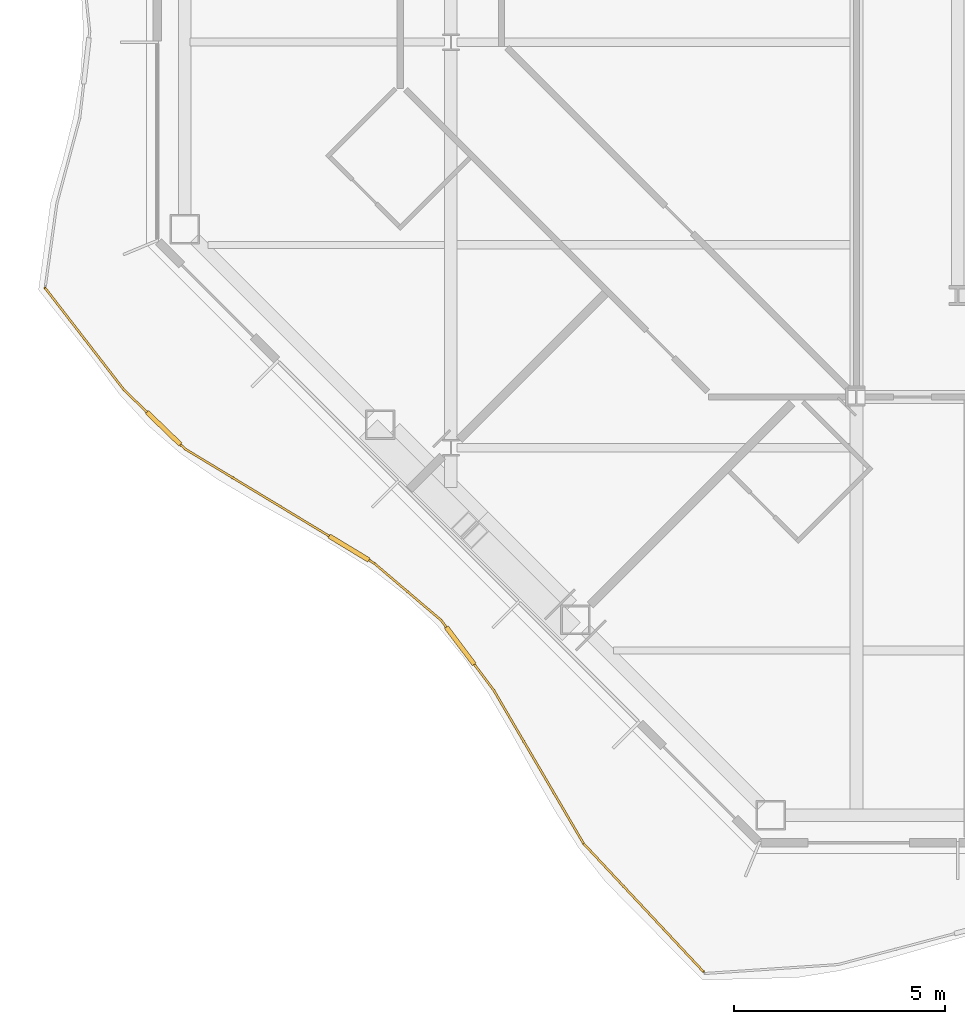
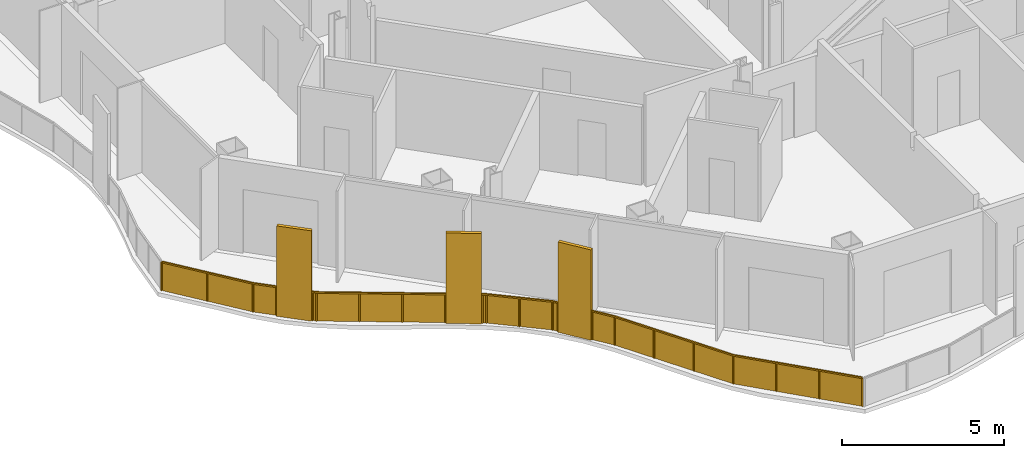
# One storey, part 15 of 21: 1 railing.
"""IFC4 building model written with IfcOpenShell, lengths in metres."""

from ifc_helpers import new_model, si_unit, direction, frame, origin, origin_2d, place, context, subcontext, project, spatial, polyline, rectangle, outline, extrude, material, type_object, element, save


model = new_model("IFC4")

# Units and contexts
model_context = context("Model", 3, precision=1e-05, world=origin(), true_north=direction((0.0, 1.0)))
body_context = subcontext(model_context, "Body", "Model", "MODEL_VIEW")
ifc_project = project(units=[si_unit("LENGTHUNIT", "METRE"), si_unit("AREAUNIT", "SQUARE_METRE"), si_unit("VOLUMEUNIT", "CUBIC_METRE"), si_unit("PLANEANGLEUNIT", "RADIAN"), si_unit("MASSUNIT", "GRAM", prefix="KILO")], contexts=[model_context])

# Site, building, storey
site_placement = place(None, origin())
site = spatial("IfcSite", under=ifc_project, at=site_placement, CompositionType="ELEMENT")
building_placement = place(site_placement, origin())
building = spatial("IfcBuilding", under=site, at=building_placement, Name="Cairn Pilgrim Tower", CompositionType="ELEMENT")
storey_placement = place(building_placement, frame((0.0, 0.0, 139.800048828125)))
storey = spatial("IfcBuildingStorey", under=building, at=storey_placement, Name="L34", CompositionType="ELEMENT", Elevation=139.800048828125)

# Railing
ifc_material = material(Name="Bronze anodised aluminium rail, posts and fin screens with laminated glass infill", Category="aluminium")
railing_type = type_object("IfcRailingType", Name="BALCONY GUARD WITH FIN SCREENS", PredefinedType="GUARDRAIL", material=ifc_material)
railing_placement = place(storey_placement, frame((-24.005126953125, -5.819580078125, 0.0)))
element("IfcRailing", 1, at=railing_placement, inside=storey, type_object=railing_type, Name="Balcony guard BGF-8 with fin screens", PredefinedType="GUARDRAIL", context=body_context, shape_type="SweptSolid", body=[
    extrude(rectangle(XDim=0.050048828125, YDim=0.050048828125, at=origin_2d()), frame((0.0, 0.0, 1.0751953125), z_axis=(0.612165117841, -0.790729959278, 0.0), x_axis=(0.790729959278, 0.612165117841, 0.0)), (0.0, 0.0, 1.0), 3.048828125),
    extrude(rectangle(XDim=1.10009765625, YDim=0.110107421875, at=origin_2d()), frame((2.807373046875, -3.32080078125, 0.0), z_axis=(0.0, 0.0, 1.0), x_axis=(0.718856780035, -0.695158204869, 0.0)), (0.0, 0.0, 1.0), 3.39990234375),
    extrude(rectangle(XDim=0.050048828125, YDim=0.050048828125, at=origin_2d()), frame((1.866455078125, -2.410888671875, 1.0751953125), z_axis=(0.718856780035, -0.695158204869, 0.0), x_axis=(0.695158204869, 0.718856780035, 0.0)), (0.0, 0.0, 1.0), 0.759033203125),
    extrude(rectangle(XDim=0.050048828125, YDim=0.050048828125, at=origin_2d()), frame((3.202880859375, -3.703125, 1.0751953125), z_axis=(0.718856780035, -0.695158204869, 0.0), x_axis=(0.695158204869, 0.718856780035, 0.0)), (0.0, 0.0, 1.0), 0.14990234375),
    extrude(rectangle(XDim=1.10009765625, YDim=0.110107421875, at=origin_2d()), frame((7.1943359375, -6.156005859375, 0.0), z_axis=(0.0, 0.0, 1.0), x_axis=(0.855690711197, -0.517487590934, 0.0)), (0.0, 0.0, 1.0), 3.39990234375),
    extrude(rectangle(XDim=0.050048828125, YDim=0.050048828125, at=origin_2d()), frame((3.310546875, -3.807373046875, 1.0751953125), z_axis=(0.855690711197, -0.517487590934, 0.0), x_axis=(0.517487590934, 0.855690711197, 0.0)), (0.0, 0.0, 1.0), 3.98876953125),
    extrude(rectangle(XDim=0.050048828125, YDim=0.050048828125, at=origin_2d()), frame((7.664794921875, -6.440673828125, 1.0751953125), z_axis=(0.855690711197, -0.517487590934, 0.0), x_axis=(0.517487590934, 0.855690711197, 0.0)), (0.0, 0.0, 1.0), 0.14990234375),
    extrude(rectangle(XDim=0.050048828125, YDim=0.050048828125, at=origin_2d()), frame((7.793212890625, -6.518310546875, 1.0751953125), z_axis=(0.761514638279, -0.648147711318, 0.0), x_axis=(0.648147711318, 0.761514638279, 0.0)), (0.0, 0.0, 1.0), 2.07177734375),
    extrude(rectangle(XDim=1.10009765625, YDim=0.110107421875, at=origin_2d()), frame((9.826904296875, -8.467529296875, 0.0), z_axis=(0.0, 0.0, 1.0), x_axis=(0.60110641828, -0.799168989578, 0.0)), (0.0, 0.0, 1.0), 3.39990234375),
    extrude(rectangle(XDim=0.050048828125, YDim=0.050048828125, at=origin_2d()), frame((9.370849609375, -7.861083984375, 1.0751953125), z_axis=(0.60110641828, -0.799168989578, 0.0), x_axis=(0.799168989578, 0.60110641828, 0.0)), (0.0, 0.0, 1.0), 0.208740234375),
    extrude(rectangle(XDim=0.050048828125, YDim=0.050048828125, at=origin_2d()), frame((10.157470703125, -8.906982421875, 1.0751953125), z_axis=(0.60110641828, -0.799168989578, 0.0), x_axis=(0.799168989578, 0.60110641828, 0.0)), (0.0, 0.0, 1.0), 0.773193359375),
    extrude(rectangle(XDim=0.050048828125, YDim=0.050048828125, at=origin_2d()), frame((10.622314453125, -9.52490234375, 1.0751953125), z_axis=(0.505340687517, -0.862919920699, 0.0), x_axis=(0.862919920699, 0.505340687517, 0.0)), (0.0, 0.0, 1.0), 4.20166015625),
    extrude(rectangle(XDim=0.050048828125, YDim=0.050048828125, at=origin_2d()), frame((12.74560546875, -13.150634765625, 1.0751953125), z_axis=(0.683285589694, -0.730151219211, 0.0), x_axis=(0.730151219211, 0.683285589694, 0.0)), (0.0, 0.0, 1.0), 4.15185546875),
    extrude(rectangle(XDim=0.050048828125, YDim=0.050048828125, at=origin_2d()), origin(), (0.0, 0.0, 1.0), 1.050048828125),
    extrude(rectangle(XDim=0.050048828125, YDim=0.050048828125, at=origin_2d()), frame((0.93310546875, -1.20556640625, 0.0)), (0.0, 0.0, 1.0), 1.050048828125),
    extrude(rectangle(XDim=0.050048828125, YDim=0.050048828125, at=origin_2d()), frame((1.866455078125, -2.410888671875, 0.0)), (0.0, 0.0, 1.0), 1.050048828125),
    extrude(rectangle(XDim=0.050048828125, YDim=0.050048828125, at=origin_2d()), frame((2.39404296875, -2.921142578125, 0.0)), (0.0, 0.0, 1.0), 1.050048828125),
    extrude(rectangle(XDim=0.050048828125, YDim=0.050048828125, at=origin_2d()), frame((3.220947265625, -3.720703125, 0.0)), (0.0, 0.0, 1.0), 1.050048828125),
    extrude(rectangle(XDim=0.050048828125, YDim=0.050048828125, at=origin_2d()), frame((3.310546875, -3.807373046875, 0.0)), (0.0, 0.0, 1.0), 1.050048828125),
    extrude(rectangle(XDim=0.050048828125, YDim=0.050048828125, at=origin_2d()), frame((4.441162109375, -4.490966796875, 0.0)), (0.0, 0.0, 1.0), 1.050048828125),
    extrude(rectangle(XDim=0.050048828125, YDim=0.050048828125, at=origin_2d()), frame((5.57177734375, -5.1748046875, 0.0)), (0.0, 0.0, 1.0), 1.050048828125),
    extrude(rectangle(XDim=0.050048828125, YDim=0.050048828125, at=origin_2d()), frame((6.7021484375, -5.8583984375, 0.0)), (0.0, 0.0, 1.0), 1.050048828125),
    extrude(rectangle(XDim=0.050048828125, YDim=0.050048828125, at=origin_2d()), frame((7.686279296875, -6.45361328125, 0.0)), (0.0, 0.0, 1.0), 1.050048828125),
    extrude(rectangle(XDim=0.050048828125, YDim=0.050048828125, at=origin_2d()), frame((7.793212890625, -6.518310546875, 0.0)), (0.0, 0.0, 1.0), 1.050048828125),
    extrude(rectangle(XDim=0.050048828125, YDim=0.050048828125, at=origin_2d()), frame((8.58203125, -7.189697265625, 0.0)), (0.0, 0.0, 1.0), 1.050048828125),
    extrude(rectangle(XDim=0.050048828125, YDim=0.050048828125, at=origin_2d()), frame((9.370849609375, -7.861083984375, 0.0)), (0.0, 0.0, 1.0), 1.050048828125),
    extrude(rectangle(XDim=0.050048828125, YDim=0.050048828125, at=origin_2d()), frame((9.481201171875, -8.0078125, 0.0)), (0.0, 0.0, 1.0), 1.050048828125),
    extrude(rectangle(XDim=0.050048828125, YDim=0.050048828125, at=origin_2d()), frame((10.172607421875, -8.927001953125, 0.0)), (0.0, 0.0, 1.0), 1.050048828125),
    extrude(rectangle(XDim=0.050048828125, YDim=0.050048828125, at=origin_2d()), frame((10.622314453125, -9.52490234375, 0.0)), (0.0, 0.0, 1.0), 1.050048828125),
    extrude(rectangle(XDim=0.050048828125, YDim=0.050048828125, at=origin_2d()), frame((11.330078125, -10.7333984375, 0.0)), (0.0, 0.0, 1.0), 1.050048828125),
    extrude(rectangle(XDim=0.050048828125, YDim=0.050048828125, at=origin_2d()), frame((12.037841796875, -11.942138671875, 0.0)), (0.0, 0.0, 1.0), 1.050048828125),
    extrude(rectangle(XDim=0.050048828125, YDim=0.050048828125, at=origin_2d()), frame((12.74560546875, -13.150634765625, 0.0)), (0.0, 0.0, 1.0), 1.050048828125),
    extrude(rectangle(XDim=0.050048828125, YDim=0.050048828125, at=origin_2d()), frame((13.691162109375, -14.1611328125, 0.0)), (0.0, 0.0, 1.0), 1.050048828125),
    extrude(rectangle(XDim=0.050048828125, YDim=0.050048828125, at=origin_2d()), frame((14.636962890625, -15.171630859375, 0.0)), (0.0, 0.0, 1.0), 1.050048828125),
    extrude(rectangle(XDim=0.050048828125, YDim=0.050048828125, at=origin_2d()), frame((15.58251953125, -16.18212890625, 0.0)), (0.0, 0.0, 1.0), 1.050048828125),
    extrude(outline(polyline([(0.02490234375, 0.0), (1.49951171875, 0.0), (1.49951171875, 1.050048828125), (0.02490234375, 1.050048828125), (0.02490234375, 0.0)])), frame((0.004638671875, 0.003662109375, 0.0), z_axis=(-0.790729959278, -0.612165117841, 0.0), x_axis=(0.612165117841, -0.790729959278, 0.0)), (0.0, 0.0, 1.0), 0.011962890625),
    extrude(outline(polyline([(0.02490234375, 0.0), (1.49951171875, 0.0), (1.49951171875, 1.050048828125), (0.02490234375, 1.050048828125), (0.02490234375, 0.0)])), frame((0.93798828125, -1.201904296875, 0.0), z_axis=(-0.790729959278, -0.612165117841, 0.0), x_axis=(0.612165117841, -0.790729959278, 0.0)), (0.0, 0.0, 1.0), 0.011962890625),
    extrude(outline(polyline([(0.02490234375, 0.0), (0.708984375, 0.0), (0.708984375, 1.050048828125), (0.02490234375, 1.050048828125), (0.02490234375, 0.0)])), frame((1.87060546875, -2.406494140625, 0.0), z_axis=(-0.695158204869, -0.718856780035, 0.0), x_axis=(0.718856780035, -0.695158204869, 0.0)), (0.0, 0.0, 1.0), 0.011962890625),
    extrude(outline(polyline([(0.02490234375, 0.0), (0.099853515625, 0.0), (0.099853515625, 1.050048828125), (0.02490234375, 1.050048828125), (0.02490234375, 0.0)])), frame((3.22509765625, -3.71630859375, 0.0), z_axis=(-0.695158204869, -0.718856780035, 0.0), x_axis=(0.718856780035, -0.695158204869, 0.0)), (0.0, 0.0, 1.0), 0.011962890625),
    extrude(outline(polyline([(0.02490234375, 0.0), (1.296142578125, 0.0), (1.296142578125, 1.050048828125), (0.02490234375, 1.050048828125), (0.02490234375, 0.0)])), frame((3.313720703125, -3.80224609375, 0.0), z_axis=(-0.517487590934, -0.855690711197, 0.0), x_axis=(0.855690711197, -0.517487590934, 0.0)), (0.0, 0.0, 1.0), 0.011962890625),
    extrude(outline(polyline([(0.02490234375, 0.0), (1.296142578125, 0.0), (1.296142578125, 1.050048828125), (0.02490234375, 1.050048828125), (0.02490234375, 0.0)])), frame((4.444091796875, -4.486083984375, 0.0), z_axis=(-0.517487590934, -0.855690711197, 0.0), x_axis=(0.855690711197, -0.517487590934, 0.0)), (0.0, 0.0, 1.0), 0.011962890625),
    extrude(outline(polyline([(0.02490234375, 0.0), (1.296142578125, 0.0), (1.296142578125, 1.050048828125), (0.02490234375, 1.050048828125), (0.02490234375, 0.0)])), frame((5.57470703125, -5.169677734375, 0.0), z_axis=(-0.517487590934, -0.855690711197, 0.0), x_axis=(0.855690711197, -0.517487590934, 0.0)), (0.0, 0.0, 1.0), 0.011962890625),
    extrude(outline(polyline([(0.02490234375, 0.0), (0.099853515625, 0.0), (0.099853515625, 1.050048828125), (0.02490234375, 1.050048828125), (0.02490234375, 0.0)])), frame((7.689453125, -6.448486328125, 0.0), z_axis=(-0.517487590934, -0.855690711197, 0.0), x_axis=(0.855690711197, -0.517487590934, 0.0)), (0.0, 0.0, 1.0), 0.011962890625),
    extrude(outline(polyline([(0.02490234375, 0.0), (1.0107421875, 0.0), (1.0107421875, 1.050048828125), (0.02490234375, 1.050048828125), (0.02490234375, 0.0)])), frame((7.797119140625, -6.513671875, 0.0), z_axis=(-0.648147711318, -0.761514638279, 0.0), x_axis=(0.761514638279, -0.648147711318, 0.0)), (0.0, 0.0, 1.0), 0.011962890625),
    extrude(outline(polyline([(0.02490234375, 0.0), (1.0107421875, 0.0), (1.0107421875, 1.050048828125), (0.02490234375, 1.050048828125), (0.02490234375, 0.0)])), frame((8.5859375, -7.18505859375, 0.0), z_axis=(-0.648147711318, -0.761514638279, 0.0), x_axis=(0.761514638279, -0.648147711318, 0.0)), (0.0, 0.0, 1.0), 0.011962890625),
    extrude(outline(polyline([(0.02490234375, 0.0), (0.15869140625, 0.0), (0.15869140625, 1.050048828125), (0.02490234375, 1.050048828125), (0.02490234375, 0.0)])), frame((9.375732421875, -7.857421875, 0.0), z_axis=(-0.799168989578, -0.60110641828, 0.0), x_axis=(0.60110641828, -0.799168989578, 0.0)), (0.0, 0.0, 1.0), 0.011962890625),
    extrude(outline(polyline([(0.02490234375, 0.0), (0.72314453125, 0.0), (0.72314453125, 1.050048828125), (0.02490234375, 1.050048828125), (0.02490234375, 0.0)])), frame((10.17724609375, -8.92333984375, 0.0), z_axis=(-0.799168989578, -0.60110641828, 0.0), x_axis=(0.60110641828, -0.799168989578, 0.0)), (0.0, 0.0, 1.0), 0.011962890625),
    extrude(outline(polyline([(0.02490234375, 0.0), (1.37548828125, 0.0), (1.37548828125, 1.050048828125), (0.02490234375, 1.050048828125), (0.02490234375, 0.0)])), frame((10.62744140625, -9.52197265625, 0.0), z_axis=(-0.862919920699, -0.505340687517, 0.0), x_axis=(0.505340687517, -0.862919920699, 0.0)), (0.0, 0.0, 1.0), 0.011962890625),
    extrude(outline(polyline([(0.02490234375, 0.0), (1.37548828125, 0.0), (1.37548828125, 1.050048828125), (0.02490234375, 1.050048828125), (0.02490234375, 0.0)])), frame((11.335205078125, -10.73046875, 0.0), z_axis=(-0.862919920699, -0.505340687517, 0.0), x_axis=(0.505340687517, -0.862919920699, 0.0)), (0.0, 0.0, 1.0), 0.011962890625),
    extrude(outline(polyline([(0.02490234375, 0.0), (1.37548828125, 0.0), (1.37548828125, 1.050048828125), (0.02490234375, 1.050048828125), (0.02490234375, 0.0)])), frame((12.04296875, -11.93896484375, 0.0), z_axis=(-0.862919920699, -0.505340687517, 0.0), x_axis=(0.505340687517, -0.862919920699, 0.0)), (0.0, 0.0, 1.0), 0.011962890625),
    extrude(outline(polyline([(0.02490234375, 0.0), (1.35888671875, 0.0), (1.35888671875, 1.050048828125), (0.02490234375, 1.050048828125), (0.02490234375, 0.0)])), frame((12.75, -13.146484375, 0.0), z_axis=(-0.730151219211, -0.683285589694, 0.0), x_axis=(0.683285589694, -0.730151219211, 0.0)), (0.0, 0.0, 1.0), 0.011962890625),
    extrude(outline(polyline([(0.02490234375, 0.0), (1.35888671875, 0.0), (1.35888671875, 1.050048828125), (0.02490234375, 1.050048828125), (0.02490234375, 0.0)])), frame((13.695556640625, -14.156982421875, 0.0), z_axis=(-0.730151219211, -0.683285589694, 0.0), x_axis=(0.683285589694, -0.730151219211, 0.0)), (0.0, 0.0, 1.0), 0.011962890625),
    extrude(outline(polyline([(0.02490234375, 0.0), (1.35888671875, 0.0), (1.35888671875, 1.050048828125), (0.02490234375, 1.050048828125), (0.02490234375, 0.0)])), frame((14.641357421875, -15.16748046875, 0.0), z_axis=(-0.730151219211, -0.683285589694, 0.0), x_axis=(0.683285589694, -0.730151219211, 0.0)), (0.0, 0.0, 1.0), 0.011962890625),
])

save(model, "model.ifc")
